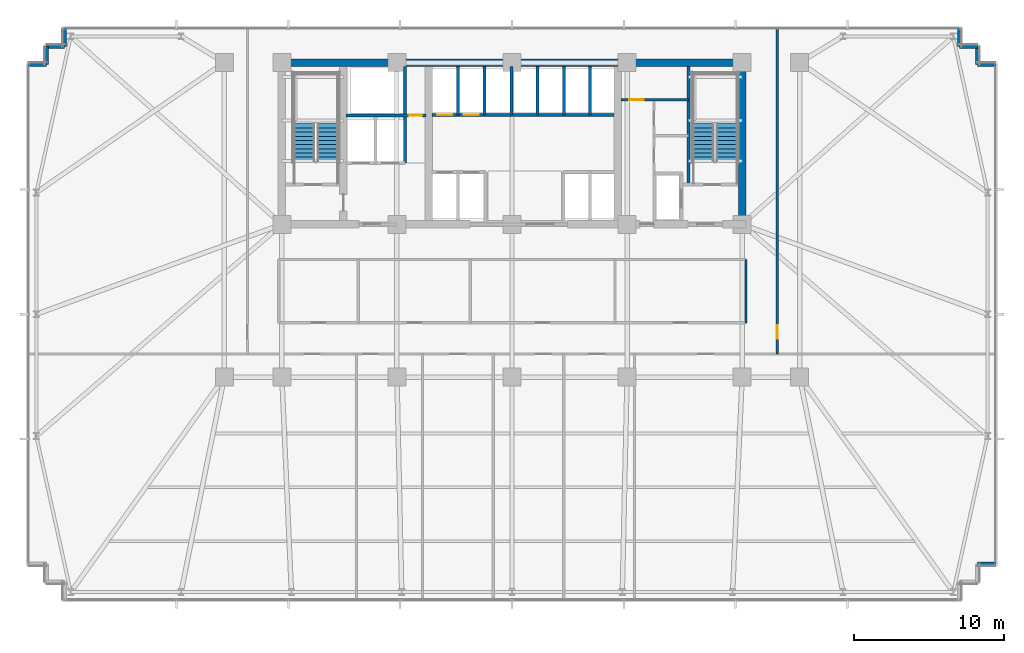
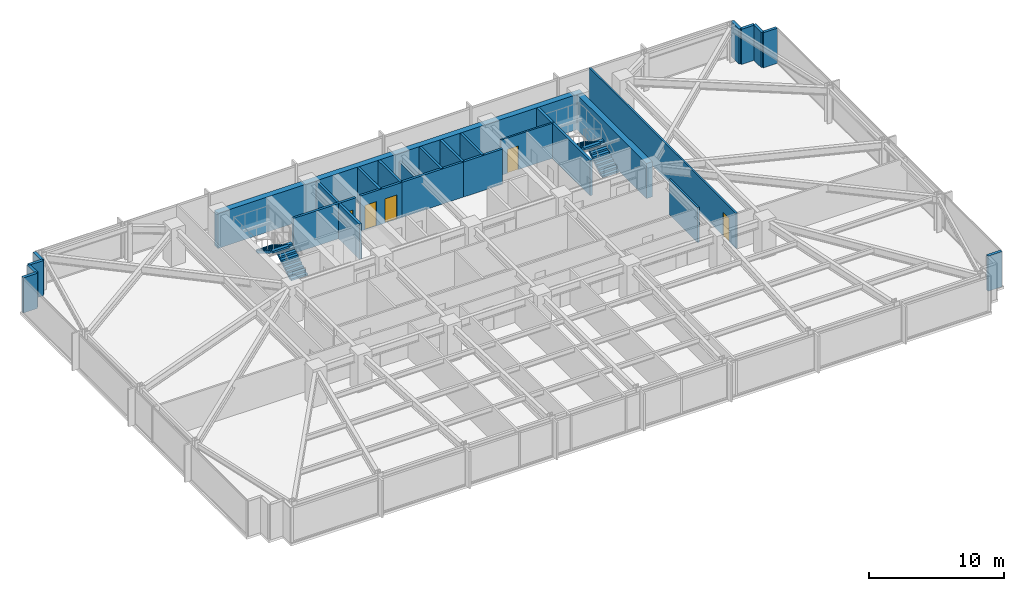
# One storey, part 26 of 33: 26 walls, 5 doors, 4 stair flights, 5 openings, 2 elements without a shape of their own.
"""IFC4 building model written with IfcOpenShell, lengths in metres."""

from ifc_helpers import new_model, si_unit, direction, frame, frame_2d, origin, place, context, subcontext, project, spatial, polyline, rectangle, outline, extrude, material, layer, layer_set, type_object, element, fill, aggregate, save


model = new_model("IFC4")

# Units and contexts
model_context = context("Model", 3, precision=1e-05, world=origin(), true_north=direction((0.0, 1.0)))
body_context = subcontext(model_context, "Body", "Model", "MODEL_VIEW")
ifc_project = project(units=[si_unit("LENGTHUNIT", "METRE"), si_unit("AREAUNIT", "SQUARE_METRE"), si_unit("VOLUMEUNIT", "CUBIC_METRE"), si_unit("PLANEANGLEUNIT", "RADIAN"), si_unit("MASSUNIT", "GRAM", prefix="KILO")], contexts=[model_context])

# Site, building, storey
site_placement = place(None, origin())
site = spatial("IfcSite", under=ifc_project, at=site_placement, CompositionType="ELEMENT")
building_placement = place(site_placement, origin())
building = spatial("IfcBuilding", under=site, at=building_placement, Name="Yelkora Congress Tower", CompositionType="ELEMENT")
storey_placement = place(building_placement, frame((0.0, 0.0, 54.199951171875)))
storey = spatial("IfcBuildingStorey", under=building, at=storey_placement, Name="L13", CompositionType="ELEMENT", Elevation=54.199951171875)

# Walls
ifc_material_1 = material(Name="Concrete C50/60", Category="concrete")
ifc_layer_1 = layer(ifc_material_1, 0.219970703125)
ifc_layer_set_1 = layer_set([ifc_layer_1], Name="Concrete C50/60")
wall_type_1 = type_object("IfcWallType", Name="WALL-CORE-INT-220", PredefinedType="SHEAR", material=ifc_layer_set_1)
wall_1_placement = place(storey_placement, frame((50.179931640625, 38.050048828125, 0.0), z_axis=(0.0, 0.0, 1.0), x_axis=(0.0, 1.0, 0.0)))
element("IfcWall", 1, at=wall_1_placement, inside=storey, type_object=wall_type_1, Name="L13 ST02 West Stair Shear Wall", PredefinedType="SHEAR", context=body_context, shape_type="SweptSolid", body=[
    extrude(rectangle(XDim=7.89990234375, YDim=0.219970703125, at=frame_2d((3.949951171875, 0.0))), origin(), (0.0, 0.0, 1.0), 3.179931640625),
])
ifc_material_2 = material(Name="Concrete C60/75", Category="concrete")
ifc_layer_2 = layer(ifc_material_2, 0.5)
ifc_layer_set_2 = layer_set([ifc_layer_2], Name="Concrete C60/75")
wall_type_2 = type_object("IfcWallType", Name="WALL-CORE-INT-500", PredefinedType="SHEAR", material=ifc_layer_set_2)
wall_2_placement = place(storey_placement, frame((22.7900390625, 46.199951171875, 0.0), z_axis=(0.0, 0.0, 1.0), x_axis=(1.0, 0.0, 0.0)))
element("IfcWall", 2, at=wall_2_placement, inside=storey, type_object=wall_type_2, Name="L13 Rear Core North Shear Wall", PredefinedType="SHEAR", context=body_context, shape_type="SweptSolid", body=[
    extrude(rectangle(XDim=31.219970703125, YDim=0.5, at=frame_2d((15.60986328125, 0.0))), origin(), (0.0, 0.0, 1.0), 3.179931640625),
])
wall_3_placement = place(storey_placement, frame((53.760009765625, 35.64990234375, 0.0), z_axis=(0.0, 0.0, 1.0), x_axis=(0.0, 1.0, 0.0)))
element("IfcWall", 3, at=wall_3_placement, inside=storey, type_object=wall_type_2, Name="L13 Rear Core Cross Shear Wall E", PredefinedType="SHEAR", context=body_context, shape_type="SweptSolid", body=[
    extrude(rectangle(XDim=10.300048828125, YDim=0.5, at=frame_2d((5.14990234375, 0.0))), origin(), (0.0, 0.0, 1.0), 3.179931640625),
])
ifc_material_3 = material(Name="Concrete C40/50", Category="concrete")
ifc_layer_3 = layer(ifc_material_3, 0.239990234375)
ifc_layer_set_3 = layer_set([ifc_layer_3], Name="Concrete C40/50")
wall_type_3 = type_object("IfcWallType", Name="WALL-EXT-LIMESTONE-240", PredefinedType="SOLIDWALL", material=ifc_layer_set_3)
wall_4_placement = place(storey_placement, frame((6.139892578125, 46.06005859375, 0.0), z_axis=(0.0, 0.0, 1.0), x_axis=(1.0, 0.0, 0.0)))
element("IfcWall", 4, at=wall_4_placement, inside=storey, type_object=wall_type_3, Name="L13 Serrated Corner Limestone Pier 6", PredefinedType="SOLIDWALL", context=body_context, shape_type="SweptSolid", body=[
    extrude(rectangle(XDim=1.2001953125, YDim=0.239990234375, at=frame_2d((0.60009765625, 0.0))), origin(), (0.0, 0.0, 1.0), 3.179931640625),
])
for number, where, z_axis, x_axis, name in (
    (5, (7.340087890625, 46.06005859375, 0.0), (0.0, 0.0, 1.0), (0.0, 1.0, 0.0), "L13 Serrated Corner Limestone Pier 7"),
    (6, (7.340087890625, 47.260009765625, 0.0), (0.0, 0.0, 1.0), (1.0, 0.0, 0.0), "L13 Serrated Corner Limestone Pier 8"),
    (7, (8.5400390625, 47.260009765625, 0.0), (0.0, 0.0, 1.0), (0.0, 1.0, 0.0), "L13 Serrated Corner Limestone Pier 9"),
    (8, (68.260009765625, 48.4599609375, 0.0), (0.0, 0.0, 1.0), (0.0, -1.0, 0.0), "L13 Serrated Corner Limestone Pier 11"),
    (9, (68.260009765625, 47.260009765625, 0.0), (0.0, 0.0, 1.0), (1.0, 0.0, 0.0), "L13 Serrated Corner Limestone Pier 12"),
    (10, (69.4599609375, 47.260009765625, 0.0), (0.0, 0.0, 1.0), (0.0, -1.0, 0.0), "L13 Serrated Corner Limestone Pier 13"),
    (11, (69.4599609375, 46.06005859375, 0.0), (0.0, 0.0, 1.0), (1.0, 0.0, 0.0), "L13 Serrated Corner Limestone Pier 14"),
    (12, (70.659912109375, 12.739990234375, 0.0), (0.0, 0.0, 1.0), (-1.0, 0.0, 0.0), "L13 Serrated Corner Limestone Pier 16"),
):
    element("IfcWall", number, at=place(storey_placement, frame(where, z_axis=z_axis, x_axis=x_axis)), inside=storey, type_object=wall_type_3, Name=name, PredefinedType="SOLIDWALL", context=body_context, shape_type="SweptSolid", body=[
        extrude(rectangle(XDim=1.199951171875, YDim=0.239990234375, at=frame_2d((0.60009765625, 0.0))), origin(), (0.0, 0.0, 1.0), 3.179931640625),
    ])

# Wall, opening, door
ifc_material_4 = material(Name="Acoustic metal-stud gypsum partition", Category="gypsum")
ifc_layer_4 = layer(ifc_material_4, 0.14990234375)
ifc_layer_set_4 = layer_set([ifc_layer_4], Name="Acoustic metal-stud gypsum partition")
wall_type_4 = type_object("IfcWallType", Name="WALL-INT-150-NR", PredefinedType="PARTITIONING", material=ifc_layer_set_4)
wall_5_placement = place(storey_placement, frame((45.679931640625, 43.719970703125, 0.0), z_axis=(0.0, 0.0, 1.0), x_axis=(1.0, 0.0, 0.0)))
wall_5 = element("IfcWall", 13, at=wall_5_placement, inside=storey, type_object=wall_type_4, Name="L13 Partition Wall 28", PredefinedType="PARTITIONING", context=body_context, shape_type="SweptSolid", body=[
    extrude(rectangle(XDim=4.5, YDim=0.14990234375, at=frame_2d((2.25, 0.0))), origin(), (0.0, 0.0, 1.0), 3.179931640625),
])
opening_1_placement = place(wall_5_placement, frame((0.550048828125, 0.0, 0.0)))
opening_1 = element("IfcOpeningElement", 14, at=opening_1_placement, cuts=wall_5, Name="Opening DR-095N", PredefinedType="OPENING", context=body_context, shape_type="SweptSolid", body=[
    extrude(rectangle(XDim=0.949951171875, YDim=2.14990234375, at=frame_2d((0.47509765625, 1.074951171875))), frame((0.0, 0.0849609375, 0.0), z_axis=(0.0, -1.0, 0.0), x_axis=(1.0, 0.0, 0.0)), (0.0, 0.0, 1.0), 0.169921875),
])
ifc_material_5 = material(Name="Acoustic laminated timber office door", Category="wood")
door_type_1 = type_object("IfcDoorType", Name="DOOR-INT-950", OperationType="NOTDEFINED", PredefinedType="DOOR", material=ifc_material_5)
door_1_placement = place(opening_1_placement, origin())
door_1 = element("IfcDoor", 15, at=door_1_placement, inside=storey, type_object=door_type_1, Name="L13 Accessible WC Door", OperationType="SINGLE_SWING_RIGHT", OverallHeight=2.14990234375, OverallWidth=0.949951171875, PredefinedType="DOOR", context=body_context, shape_type="SweptSolid", body=[
    extrude(rectangle(XDim=0.949951171875, YDim=2.14990234375, at=frame_2d((0.47509765625, 1.074951171875))), frame((0.0, 0.02490234375, 0.0), z_axis=(0.0, -1.0, 0.0), x_axis=(1.0, 0.0, 0.0)), (0.0, 0.0, 1.0), 0.050048828125),
])
fill(opening_1, door_1)

wall_6_placement = place(storey_placement, frame((56.10009765625, 26.75, 0.0), z_axis=(0.0, 0.0, 1.0), x_axis=(0.0, 1.0, 0.0)))
wall_6 = element("IfcWall", 16, at=wall_6_placement, inside=storey, type_object=wall_type_4, Name="L13 Partition Wall 38", PredefinedType="PARTITIONING", context=body_context, shape_type="SweptSolid", body=[
    extrude(rectangle(XDim=21.77001953125, YDim=0.14990234375, at=frame_2d((10.885009765625, 0.0))), origin(), (0.0, 0.0, 1.0), 3.179931640625),
])
opening_2_placement = place(wall_6_placement, frame((1.030029296875, 0.0, 0.0)))
opening_2 = element("IfcOpeningElement", 17, at=opening_2_placement, cuts=wall_6, Name="Opening DR-090N", PredefinedType="OPENING", context=body_context, shape_type="SweptSolid", body=[
    extrude(rectangle(XDim=0.89990234375, YDim=2.14990234375, at=frame_2d((0.449951171875, 1.074951171875))), frame((0.0, 0.0849609375, 0.0), z_axis=(0.0, -1.0, 0.0), x_axis=(1.0, 0.0, 0.0)), (0.0, 0.0, 1.0), 0.169921875),
])
ifc_material_6 = material(Name="Moisture-resistant laminate door leaf", Category="wood")
door_type_2 = type_object("IfcDoorType", Name="DOOR-INT-900", OperationType="NOTDEFINED", PredefinedType="DOOR", material=ifc_material_6)
door_2_placement = place(opening_2_placement, origin())
door_2 = element("IfcDoor", 18, at=door_2_placement, inside=storey, type_object=door_type_2, Name="L13 E Wing Door", OperationType="SINGLE_SWING_RIGHT", OverallHeight=2.14990234375, OverallWidth=0.89990234375, PredefinedType="DOOR", context=body_context, shape_type="SweptSolid", body=[
    extrude(rectangle(XDim=0.89990234375, YDim=2.14990234375, at=frame_2d((0.449951171875, 1.074951171875))), frame((0.0, 0.02490234375, 0.0), z_axis=(0.0, -1.0, 0.0), x_axis=(1.0, 0.0, 0.0)), (0.0, 0.0, 1.0), 0.050048828125),
])
fill(opening_2, door_2)

# Walls
wall_7_placement = place(storey_placement, frame((54.02001953125, 28.830078125, 0.0), z_axis=(0.0, 0.0, 1.0), x_axis=(0.0, 1.0, 0.0)))
element("IfcWall", 19, at=wall_7_placement, inside=storey, type_object=wall_type_4, Name="L13 Partition Wall 40", PredefinedType="PARTITIONING", context=body_context, shape_type="SweptSolid", body=[
    extrude(rectangle(XDim=4.219970703125, YDim=0.14990234375, at=frame_2d((2.10986328125, 0.0))), origin(), (0.0, 0.0, 1.0), 3.179931640625),
])
ifc_material_7 = material(Name="Autoclaved aerated concrete blockwork", Category="masonry")
ifc_layer_5 = layer(ifc_material_7, 0.199951171875)
ifc_layer_set_5 = layer_set([ifc_layer_5], Name="Autoclaved aerated concrete blockwork")
wall_type_5 = type_object("IfcWallType", Name="WALL-INT-200-R120", PredefinedType="PARTITIONING", material=ifc_layer_set_5)
wall_8_placement = place(storey_placement, frame((31.260009765625, 39.47998046875, 0.0), z_axis=(0.0, 0.0, 1.0), x_axis=(0.0, 1.0, 0.0)))
element("IfcWall", 20, at=wall_8_placement, inside=storey, type_object=wall_type_5, Name="L13 Partition Wall 5", PredefinedType="PARTITIONING", context=body_context, shape_type="SweptSolid", body=[
    extrude(rectangle(XDim=6.43994140625, YDim=0.199951171875, at=frame_2d((3.219970703125, 0.0))), origin(), (0.0, 0.0, 1.0), 3.179931640625),
])

# Wall, opening, door
wall_9_placement = place(storey_placement, frame((27.320068359375, 42.679931640625, 0.0), z_axis=(0.0, 0.0, 1.0), x_axis=(1.0, 0.0, 0.0)))
wall_9 = element("IfcWall", 21, at=wall_9_placement, inside=storey, type_object=wall_type_5, Name="L13 Smoke Riser South Wall", PredefinedType="PARTITIONING", context=body_context, shape_type="SweptSolid", body=[
    extrude(rectangle(XDim=5.329833984375, YDim=0.199951171875, at=frame_2d((2.6650390625, 0.0))), origin(), (0.0, 0.0, 1.0), 3.179931640625),
])
opening_3_placement = place(wall_9_placement, frame((4.179931640625, 0.0, 0.0)))
opening_3 = element("IfcOpeningElement", 22, at=opening_3_placement, cuts=wall_9, Name="Opening DR-090F6", PredefinedType="OPENING", context=body_context, shape_type="SweptSolid", body=[
    extrude(rectangle(XDim=0.89990234375, YDim=2.14990234375, at=frame_2d((0.449951171875, 1.074951171875))), frame((0.0, 0.10986328125, 0.0), z_axis=(0.0, -1.0, 0.0), x_axis=(1.0, 0.0, 0.0)), (0.0, 0.0, 1.0), 0.219970703125),
])
ifc_material_8 = material(Name="Painted steel riser fire door leaf", Category="steel")
door_type_3 = type_object("IfcDoorType", Name="DOOR-FD60-900", OperationType="NOTDEFINED", PredefinedType="DOOR", material=ifc_material_8)
door_3_placement = place(opening_3_placement, origin())
door_3 = element("IfcDoor", 23, at=door_3_placement, inside=storey, type_object=door_type_3, Name="L13 Riser Access Door", OperationType="SINGLE_SWING_LEFT", OverallHeight=2.14990234375, OverallWidth=0.89990234375, PredefinedType="DOOR", context=body_context, shape_type="SweptSolid", body=[
    extrude(rectangle(XDim=0.89990234375, YDim=2.14990234375, at=frame_2d((0.449951171875, 1.074951171875))), frame((0.0, 0.02490234375, 0.0), z_axis=(0.0, -1.0, 0.0), x_axis=(1.0, 0.0, 0.0)), (0.0, 0.0, 1.0), 0.050048828125),
])
fill(opening_3, door_3)

# Walls
wall_10_placement = place(storey_placement, frame((36.60009765625, 42.699951171875, 0.0), z_axis=(0.0, 0.0, 1.0), x_axis=(1.0, 0.0, 0.0)))
element("IfcWall", 24, at=wall_10_placement, inside=storey, type_object=wall_type_5, Name="L13 Partition Wall 8", PredefinedType="PARTITIONING", context=body_context, shape_type="SweptSolid", body=[
    extrude(rectangle(XDim=5.25, YDim=0.199951171875, at=frame_2d((2.625, 0.0))), origin(), (0.0, 0.0, 1.0), 3.179931640625),
])
wall_11_placement = place(storey_placement, frame((38.35009765625, 42.699951171875, 0.0), z_axis=(0.0, 0.0, 1.0), x_axis=(0.0, 1.0, 0.0)))
element("IfcWall", 25, at=wall_11_placement, inside=storey, type_object=wall_type_5, Name="L13 Partition Wall 9", PredefinedType="PARTITIONING", context=body_context, shape_type="SweptSolid", body=[
    extrude(rectangle(XDim=3.219970703125, YDim=0.199951171875, at=frame_2d((1.60986328125, 0.0))), origin(), (0.0, 0.0, 1.0), 2.47509765625),
])
wall_12_placement = place(storey_placement, frame((40.10009765625, 42.699951171875, 0.0), z_axis=(0.0, 0.0, 1.0), x_axis=(0.0, 1.0, 0.0)))
element("IfcWall", 26, at=wall_12_placement, inside=storey, type_object=wall_type_5, Name="L13 Partition Wall 10", PredefinedType="PARTITIONING", context=body_context, shape_type="SweptSolid", body=[
    extrude(rectangle(XDim=3.219970703125, YDim=0.199951171875, at=frame_2d((1.60986328125, 0.0))), origin(), (0.0, 0.0, 1.0), 3.179931640625),
])

# Wall, openings, doors
wall_13_placement = place(storey_placement, frame((33.050048828125, 42.699951171875, 0.0), z_axis=(0.0, 0.0, 1.0), x_axis=(1.0, 0.0, 0.0)))
wall_13 = element("IfcWall", 27, at=wall_13_placement, inside=storey, type_object=wall_type_5, Name="L13 Partition Wall 12", PredefinedType="PARTITIONING", context=body_context, shape_type="SweptSolid", body=[
    extrude(rectangle(XDim=3.570068359375, YDim=0.199951171875, at=frame_2d((1.78515625, 0.0))), origin(), (0.0, 0.0, 1.0), 3.179931640625),
])
opening_4_placement = place(wall_13_placement, frame((0.375, 0.0, 0.0)))
opening_4 = element("IfcOpeningElement", 28, at=opening_4_placement, cuts=wall_13, Name="Opening LD-PS10", PredefinedType="OPENING", context=body_context, shape_type="SweptSolid", body=[
    extrude(rectangle(XDim=1.0, YDim=2.199951171875, at=frame_2d((0.5, 1.10009765625))), frame((0.0, 0.10986328125, 0.0), z_axis=(0.0, -1.0, 0.0), x_axis=(1.0, 0.0, 0.0)), (0.0, 0.0, 1.0), 0.219970703125),
])
opening_5_placement = place(wall_13_placement, frame((2.125, 0.0, 0.0)))
opening_5 = element("IfcOpeningElement", 29, at=opening_5_placement, cuts=wall_13, Name="Opening LD-PS10", PredefinedType="OPENING", context=body_context, shape_type="SweptSolid", body=[
    extrude(rectangle(XDim=1.0, YDim=2.199951171875, at=frame_2d((0.5, 1.10009765625))), frame((0.0, 0.10986328125, 0.0), z_axis=(0.0, -1.0, 0.0), x_axis=(1.0, 0.0, 0.0)), (0.0, 0.0, 1.0), 0.219970703125),
])
ifc_material_9 = material(Name="Champagne stainless steel landing door", Category="steel")
door_type_4 = type_object("IfcDoorType", Name="DOOR-LIFT-PAS-1000", OperationType="DOUBLE_DOOR_SLIDING", PredefinedType="DOOR", material=ifc_material_9)
door_4_placement = place(opening_4_placement, origin())
door_4 = element("IfcDoor", 30, at=door_4_placement, inside=storey, type_object=door_type_4, Name="Lift Landing Door LF-P3 L13", OperationType="DOUBLE_DOOR_SLIDING", OverallHeight=2.199951171875, OverallWidth=1.0, PredefinedType="DOOR", context=body_context, shape_type="SweptSolid", body=[
    extrude(rectangle(XDim=1.0, YDim=2.199951171875, at=frame_2d((0.5, 1.10009765625))), frame((0.0, 0.02490234375, 0.0), z_axis=(0.0, -1.0, 0.0), x_axis=(1.0, 0.0, 0.0)), (0.0, 0.0, 1.0), 0.050048828125),
])
fill(opening_4, door_4)
door_5_placement = place(opening_5_placement, origin())
door_5 = element("IfcDoor", 31, at=door_5_placement, inside=storey, type_object=door_type_4, Name="Lift Landing Door LF-P4 L13", OperationType="DOUBLE_DOOR_SLIDING", OverallHeight=2.199951171875, OverallWidth=1.0, PredefinedType="DOOR", context=body_context, shape_type="SweptSolid", body=[
    extrude(rectangle(XDim=1.0, YDim=2.199951171875, at=frame_2d((0.5, 1.10009765625))), frame((0.0, 0.02490234375, 0.0), z_axis=(0.0, -1.0, 0.0), x_axis=(1.0, 0.0, 0.0)), (0.0, 0.0, 1.0), 0.050048828125),
])
fill(opening_5, door_5)

# Walls
for number, where, z_axis, x_axis, name in (
    (32, (34.800048828125, 42.699951171875, 0.0), (0.0, 0.0, 1.0), (0.0, 1.0, 0.0), "L13 Partition Wall 14"),
    (33, (36.580078125, 42.699951171875, 0.0), (0.0, 0.0, 1.0), (0.0, 1.0, 0.0), "L13 Partition Wall 16"),
):
    element("IfcWall", number, at=place(storey_placement, frame(where, z_axis=z_axis, x_axis=x_axis)), inside=storey, type_object=wall_type_5, Name=name, PredefinedType="PARTITIONING", context=body_context, shape_type="SweptSolid", body=[
        extrude(rectangle(XDim=3.219970703125, YDim=0.199951171875, at=frame_2d((1.60986328125, 0.0))), origin(), (0.0, 0.0, 1.0), 3.179931640625),
    ])
wall_14_placement = place(storey_placement, frame((41.85009765625, 42.699951171875, 0.0), z_axis=(0.0, 0.0, 1.0), x_axis=(1.0, 0.0, 0.0)))
element("IfcWall", 34, at=wall_14_placement, inside=storey, type_object=wall_type_5, Name="L13 Partition Wall 18", PredefinedType="PARTITIONING", context=body_context, shape_type="SweptSolid", body=[
    extrude(rectangle(XDim=3.369873046875, YDim=0.199951171875, at=frame_2d((1.68505859375, 0.0))), origin(), (0.0, 0.0, 1.0), 3.179931640625),
])
for number, where, z_axis, x_axis, name in (
    (35, (43.60009765625, 42.699951171875, 0.0), (0.0, 0.0, 1.0), (0.0, 1.0, 0.0), "L13 Partition Wall 20"),
    (36, (41.8798828125, 42.699951171875, 0.0), (0.0, 0.0, 1.0), (0.0, 1.0, 0.0), "L13 Partition Wall 22"),
):
    element("IfcWall", number, at=place(storey_placement, frame(where, z_axis=z_axis, x_axis=x_axis)), inside=storey, type_object=wall_type_5, Name=name, PredefinedType="PARTITIONING", context=body_context, shape_type="SweptSolid", body=[
        extrude(rectangle(XDim=3.219970703125, YDim=0.199951171875, at=frame_2d((1.60986328125, 0.0))), origin(), (0.0, 0.0, 1.0), 3.179931640625),
    ])

# Stair, stair flights
stair_type = type_object("IfcStairType", Name="STAIR-HT-1420-R20-170", PredefinedType="HALF_TURN_STAIR", material=ifc_material_3)
stair_1_placement = place(storey_placement, origin())
stair_1 = element("IfcStair", 37, at=stair_1_placement, inside=storey, type_object=stair_type, Name="West Core Protected Exit Stair ST-01 (L13)", PredefinedType="HALF_TURN_STAIR")
stair_flight_type = type_object("IfcStairFlightType", Name="FLIGHT-1420-N10-R170-G280", PredefinedType="STRAIGHT", material=ifc_material_3)
stair_flight_1_placement = place(storey_placement, frame((26.110107421875, 39.60009765625, 0.0), z_axis=(0.0, 0.0, 1.0), x_axis=(0.0, 1.0, 0.0)))
stair_flight_1 = element("IfcStairFlight", 38, at=stair_flight_1_placement, type_object=stair_flight_type, Name="ST-01 L13 Flight 1", NumberOfRisers=10, NumberOfTreads=9, PredefinedType="STRAIGHT", RiserHeight=0.17, TreadLength=0.28, context=body_context, shape_type="SweptSolid", body=[
    extrude(outline(polyline([(0.0, 0.0), (0.0, 0.169921875), (0.280029296875, 0.169921875), (0.280029296875, 0.340087890625), (0.56005859375, 0.340087890625), (0.56005859375, 0.510009765625), (0.840087890625, 0.510009765625), (0.840087890625, 0.679931640625), (1.1201171875, 0.679931640625), (1.1201171875, 0.85009765625), (1.39990234375, 0.85009765625), (1.39990234375, 1.02001953125), (1.679931640625, 1.02001953125), (1.679931640625, 1.18994140625), (1.9599609375, 1.18994140625), (1.9599609375, 1.360107421875), (2.239990234375, 1.360107421875), (2.239990234375, 1.530029296875), (2.52001953125, 1.530029296875), (2.52001953125, 1.699951171875), (2.52001953125, 1.343017578125), (0.30810546875, 0.0), (0.0, 0.0)])), frame((0.0, 0.7099609375, 0.0), z_axis=(0.0, -1.0, 0.0), x_axis=(1.0, 0.0, 0.0)), (0.0, 0.0, 1.0), 1.419921875),
])
stair_flight_2_placement = place(storey_placement, frame((24.530029296875, 42.1201171875, 1.699951171875), z_axis=(0.0, 0.0, 1.0), x_axis=(0.0, -1.0, 0.0)))
stair_flight_2 = element("IfcStairFlight", 39, at=stair_flight_2_placement, type_object=stair_flight_type, Name="ST-01 L13 Flight 2", NumberOfRisers=10, NumberOfTreads=9, PredefinedType="STRAIGHT", RiserHeight=0.17, TreadLength=0.28, context=body_context, shape_type="SweptSolid", body=[
    extrude(outline(polyline([(0.0, 0.0), (0.0, 0.169921875), (0.280029296875, 0.169921875), (0.280029296875, 0.340087890625), (0.56005859375, 0.340087890625), (0.56005859375, 0.510009765625), (0.840087890625, 0.510009765625), (0.840087890625, 0.679931640625), (1.1201171875, 0.679931640625), (1.1201171875, 0.85009765625), (1.39990234375, 0.85009765625), (1.39990234375, 1.02001953125), (1.679931640625, 1.02001953125), (1.679931640625, 1.18994140625), (1.9599609375, 1.18994140625), (1.9599609375, 1.360107421875), (2.239990234375, 1.360107421875), (2.239990234375, 1.530029296875), (2.52001953125, 1.530029296875), (2.52001953125, 1.699951171875), (2.52001953125, 1.343017578125), (0.30810546875, 0.0), (0.0, 0.0)])), frame((0.0, 0.7099609375, 0.0), z_axis=(0.0, -1.0, 0.0), x_axis=(1.0, 0.0, 0.0)), (0.0, 0.0, 1.0), 1.419921875),
])
aggregate(stair_1, [stair_flight_1, stair_flight_2])

stair_2_placement = place(storey_placement, origin())
stair_2 = element("IfcStair", 40, at=stair_2_placement, inside=storey, type_object=stair_type, Name="East Core Protected Exit Stair ST-02 (L13)", PredefinedType="HALF_TURN_STAIR")
stair_flight_3_placement = place(storey_placement, frame((52.75, 39.60009765625, 0.0), z_axis=(0.0, 0.0, 1.0), x_axis=(0.0, 1.0, 0.0)))
stair_flight_3 = element("IfcStairFlight", 41, at=stair_flight_3_placement, type_object=stair_flight_type, Name="ST-02 L13 Flight 1", NumberOfRisers=10, NumberOfTreads=9, PredefinedType="STRAIGHT", RiserHeight=0.17, TreadLength=0.28, context=body_context, shape_type="SweptSolid", body=[
    extrude(outline(polyline([(0.0, 0.0), (0.0, 0.169921875), (0.280029296875, 0.169921875), (0.280029296875, 0.340087890625), (0.56005859375, 0.340087890625), (0.56005859375, 0.510009765625), (0.840087890625, 0.510009765625), (0.840087890625, 0.679931640625), (1.1201171875, 0.679931640625), (1.1201171875, 0.85009765625), (1.39990234375, 0.85009765625), (1.39990234375, 1.02001953125), (1.679931640625, 1.02001953125), (1.679931640625, 1.18994140625), (1.9599609375, 1.18994140625), (1.9599609375, 1.360107421875), (2.239990234375, 1.360107421875), (2.239990234375, 1.530029296875), (2.52001953125, 1.530029296875), (2.52001953125, 1.699951171875), (2.52001953125, 1.343017578125), (0.30810546875, 0.0), (0.0, 0.0)])), frame((0.0, 0.7099609375, 0.0), z_axis=(0.0, -1.0, 0.0), x_axis=(1.0, 0.0, 0.0)), (0.0, 0.0, 1.0), 1.419921875),
])
stair_flight_4_placement = place(storey_placement, frame((51.169921875, 42.1201171875, 1.699951171875), z_axis=(0.0, 0.0, 1.0), x_axis=(0.0, -1.0, 0.0)))
stair_flight_4 = element("IfcStairFlight", 42, at=stair_flight_4_placement, type_object=stair_flight_type, Name="ST-02 L13 Flight 2", NumberOfRisers=10, NumberOfTreads=9, PredefinedType="STRAIGHT", RiserHeight=0.17, TreadLength=0.28, context=body_context, shape_type="SweptSolid", body=[
    extrude(outline(polyline([(0.0, 0.0), (0.0, 0.169921875), (0.280029296875, 0.169921875), (0.280029296875, 0.340087890625), (0.56005859375, 0.340087890625), (0.56005859375, 0.510009765625), (0.840087890625, 0.510009765625), (0.840087890625, 0.679931640625), (1.1201171875, 0.679931640625), (1.1201171875, 0.85009765625), (1.39990234375, 0.85009765625), (1.39990234375, 1.02001953125), (1.679931640625, 1.02001953125), (1.679931640625, 1.18994140625), (1.9599609375, 1.18994140625), (1.9599609375, 1.360107421875), (2.239990234375, 1.360107421875), (2.239990234375, 1.530029296875), (2.52001953125, 1.530029296875), (2.52001953125, 1.699951171875), (2.52001953125, 1.343017578125), (0.30810546875, 0.0), (0.0, 0.0)])), frame((0.0, 0.7099609375, 0.0), z_axis=(0.0, -1.0, 0.0), x_axis=(1.0, 0.0, 0.0)), (0.0, 0.0, 1.0), 1.419921875),
])
aggregate(stair_2, [stair_flight_3, stair_flight_4])

save(model, "model.ifc")
